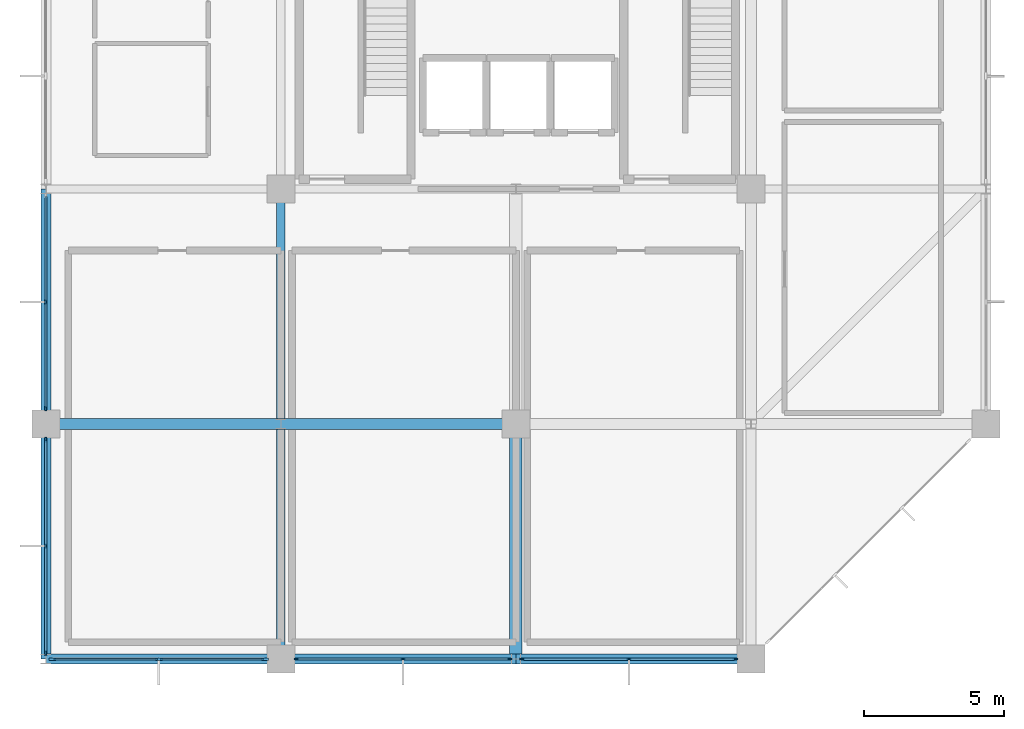
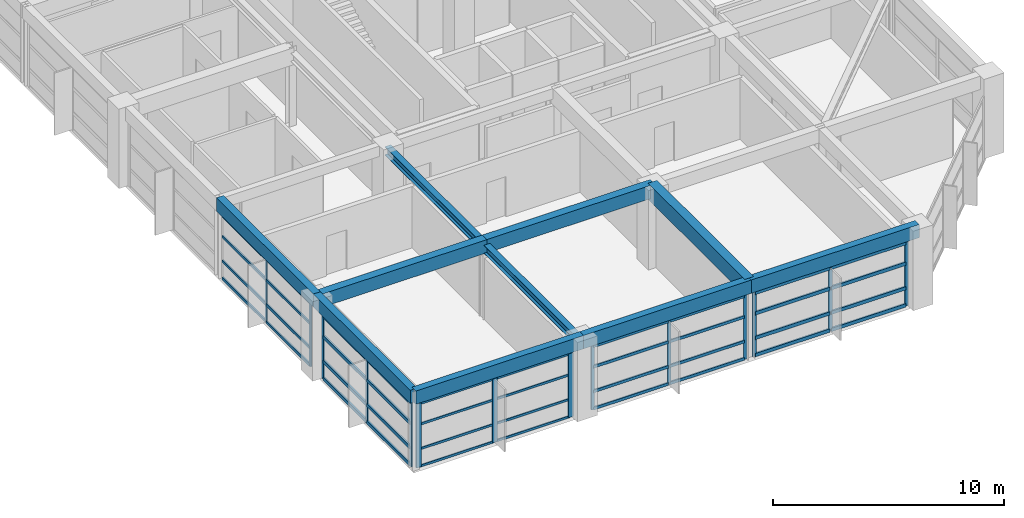
# One storey, part 3 of 15: 54 members, 10 beams, 5 elements without a shape of their own.
"""IFC4 building model written with IfcOpenShell, lengths in metres."""

from ifc_helpers import new_model, si_unit, direction, frame, origin, origin_2d, place, context, subcontext, project, spatial, rectangle, i_section, extrude, material, material_profile, profile_set, type_object, element, aggregate, save


model = new_model("IFC4")

# Units and contexts
model_context = context("Model", 3, precision=1e-05, world=origin(), true_north=direction((0.0, 1.0)))
body_context = subcontext(model_context, "Body", "Model", "MODEL_VIEW")
ifc_project = project(units=[si_unit("LENGTHUNIT", "METRE"), si_unit("AREAUNIT", "SQUARE_METRE"), si_unit("VOLUMEUNIT", "CUBIC_METRE"), si_unit("PLANEANGLEUNIT", "RADIAN"), si_unit("MASSUNIT", "GRAM", prefix="KILO")], contexts=[model_context])

# Site, building, storey
site_placement = place(None, origin())
site = spatial("IfcSite", under=ifc_project, at=site_placement, CompositionType="ELEMENT")
building_placement = place(site_placement, origin())
building = spatial("IfcBuilding", under=site, at=building_placement, Name="Xuanlan Plaza Opera House", CompositionType="ELEMENT")
storey_placement = place(building_placement, frame((0.0, 0.0, 53.10009765625)))
storey = spatial("IfcBuildingStorey", under=building, at=storey_placement, Name="L12", CompositionType="ELEMENT", Elevation=53.10009765625)

# Curtain wall, members
ifc_material_1 = material(Name="Anodised Aluminium 6063-T6 and Low-E Glass", Category="aluminium")
curtain_wall_type_1 = type_object("IfcCurtainWallType", Name="ENV-CW-CW-04", PredefinedType="USERDEFINED", material=ifc_material_1)
curtain_wall_1_placement = place(storey_placement, origin())
curtain_wall_1 = element("IfcCurtainWall", 1, at=curtain_wall_1_placement, inside=storey, type_object=curtain_wall_type_1, Name="Unitised Curtain Wall L12-002", ObjectType="UNITISED CURTAIN WALL", PredefinedType="USERDEFINED")
ifc_material_2 = material(Name="Anodised Aluminium 6063-T6", Category="aluminium")
ifc_material_profile_1 = material_profile(ifc_material_2, rectangle(XDim=0.06494140625, YDim=0.159912109375, at=origin_2d()), Name="ALU-M 65x160")
ifc_profile_set_1 = profile_set([ifc_material_profile_1], Name="Anodised Aluminium 6063-T6")
member_type_1 = type_object("IfcMemberType", Name="ENV-CWM-01", PredefinedType="MULLION", material=ifc_profile_set_1)
member_1_placement = place(storey_placement, frame((134.952392578125, 33.60009765625, 0.0), z_axis=(0.0, 0.0, 1.0), x_axis=(0.0, 1.0, 0.0)))
member_1 = element("IfcMember", 2, at=member_1_placement, type_object=member_type_1, Name="CW-04 mullion 1", PredefinedType="MULLION", context=body_context, shape_type="SweptSolid", body=[
    extrude(rectangle(XDim=0.06494140625, YDim=0.159912109375, at=origin_2d()), origin(), (0.0, 0.0, 1.0), 3.3798828125),
])
member_2_placement = place(storey_placement, frame((138.762451171875, 33.60009765625, 0.0), z_axis=(0.0, 0.0, 1.0), x_axis=(0.0, 1.0, 0.0)))
member_2 = element("IfcMember", 3, at=member_2_placement, type_object=member_type_1, Name="CW-04 mullion 2", PredefinedType="MULLION", context=body_context, shape_type="SweptSolid", body=[
    extrude(rectangle(XDim=0.06494140625, YDim=0.159912109375, at=origin_2d()), origin(), (0.0, 0.0, 1.0), 3.3798828125),
])
member_3_placement = place(storey_placement, frame((142.572509765625, 33.60009765625, 0.0), z_axis=(0.0, 0.0, 1.0), x_axis=(0.0, 1.0, 0.0)))
member_3 = element("IfcMember", 4, at=member_3_placement, type_object=member_type_1, Name="CW-04 mullion 3", PredefinedType="MULLION", context=body_context, shape_type="SweptSolid", body=[
    extrude(rectangle(XDim=0.06494140625, YDim=0.159912109375, at=origin_2d()), origin(), (0.0, 0.0, 1.0), 3.3798828125),
])

curtain_wall_type_2 = type_object("IfcCurtainWallType", Name="ENV-CW-CW-03", PredefinedType="USERDEFINED", material=ifc_material_1)
curtain_wall_2_placement = place(storey_placement, origin())
curtain_wall_2 = element("IfcCurtainWall", 5, at=curtain_wall_2_placement, inside=storey, type_object=curtain_wall_type_2, Name="Unitised Curtain Wall L12-017", ObjectType="UNITISED CURTAIN WALL", PredefinedType="USERDEFINED")
member_4_placement = place(storey_placement, frame((126.0, 46.362548828125, 0.0), z_axis=(0.0, 0.0, 1.0), x_axis=(1.0, 0.0, 0.0)))
member_4 = element("IfcMember", 6, at=member_4_placement, type_object=member_type_1, Name="CW-03 mullion 2", PredefinedType="MULLION", context=body_context, shape_type="SweptSolid", body=[
    extrude(rectangle(XDim=0.06494140625, YDim=0.159912109375, at=origin_2d()), origin(), (0.0, 0.0, 1.0), 3.3798828125),
])
member_5_placement = place(storey_placement, frame((126.0, 42.552490234375, 0.0), z_axis=(0.0, 0.0, 1.0), x_axis=(1.0, 0.0, 0.0)))
member_5 = element("IfcMember", 7, at=member_5_placement, type_object=member_type_1, Name="CW-03 mullion 3", PredefinedType="MULLION", context=body_context, shape_type="SweptSolid", body=[
    extrude(rectangle(XDim=0.06494140625, YDim=0.159912109375, at=origin_2d()), origin(), (0.0, 0.0, 1.0), 3.3798828125),
])

curtain_wall_type_3 = type_object("IfcCurtainWallType", Name="ENV-CW-CW-01", PredefinedType="USERDEFINED", material=ifc_material_1)
curtain_wall_3_placement = place(storey_placement, origin())
curtain_wall_3 = element("IfcCurtainWall", 8, at=curtain_wall_3_placement, inside=storey, type_object=curtain_wall_type_3, Name="Unitised Curtain Wall L12-003", ObjectType="UNITISED CURTAIN WALL", PredefinedType="USERDEFINED")
ifc_material_profile_2 = material_profile(ifc_material_2, rectangle(XDim=0.070068359375, YDim=0.179931640625, at=origin_2d()), Name="ALU-M 70x180")
ifc_profile_set_2 = profile_set([ifc_material_profile_2], Name="Anodised Aluminium 6063-T6")
member_type_2 = type_object("IfcMemberType", Name="ENV-CWM-02", PredefinedType="MULLION", material=ifc_profile_set_2)
member_6_placement = place(storey_placement, frame((143.030029296875, 33.60009765625, 0.0), z_axis=(0.0, 0.0, 1.0), x_axis=(0.0, 1.0, 0.0)))
member_6 = element("IfcMember", 9, at=member_6_placement, type_object=member_type_2, Name="CW-01 mullion 1", PredefinedType="MULLION", context=body_context, shape_type="SweptSolid", body=[
    extrude(rectangle(XDim=0.070068359375, YDim=0.179931640625, at=origin_2d()), origin(), (0.0, 0.0, 1.0), 3.3798828125),
])
member_7_placement = place(storey_placement, frame((146.83740234375, 33.60009765625, 0.0), z_axis=(0.0, 0.0, 1.0), x_axis=(0.0, 1.0, 0.0)))
member_7 = element("IfcMember", 10, at=member_7_placement, type_object=member_type_2, Name="CW-01 mullion 2", PredefinedType="MULLION", context=body_context, shape_type="SweptSolid", body=[
    extrude(rectangle(XDim=0.070068359375, YDim=0.179931640625, at=origin_2d()), origin(), (0.0, 0.0, 1.0), 3.3798828125),
])
member_8_placement = place(storey_placement, frame((150.64501953125, 33.60009765625, 0.0), z_axis=(0.0, 0.0, 1.0), x_axis=(0.0, 1.0, 0.0)))
member_8 = element("IfcMember", 11, at=member_8_placement, type_object=member_type_2, Name="CW-01 mullion 3", PredefinedType="MULLION", context=body_context, shape_type="SweptSolid", body=[
    extrude(rectangle(XDim=0.070068359375, YDim=0.179931640625, at=origin_2d()), origin(), (0.0, 0.0, 1.0), 3.3798828125),
])

curtain_wall_4_placement = place(storey_placement, origin())
curtain_wall_4 = element("IfcCurtainWall", 12, at=curtain_wall_4_placement, inside=storey, type_object=curtain_wall_type_1, Name="Unitised Curtain Wall L12-018", ObjectType="UNITISED CURTAIN WALL", PredefinedType="USERDEFINED")
member_9_placement = place(storey_placement, frame((126.0, 41.445068359375, 0.0), z_axis=(0.0, 0.0, 1.0), x_axis=(1.0, 0.0, 0.0)))
member_9 = element("IfcMember", 13, at=member_9_placement, type_object=member_type_2, Name="CW-04 mullion 1", PredefinedType="MULLION", context=body_context, shape_type="SweptSolid", body=[
    extrude(rectangle(XDim=0.070068359375, YDim=0.179931640625, at=origin_2d()), origin(), (0.0, 0.0, 1.0), 3.3798828125),
])
member_10_placement = place(storey_placement, frame((126.0, 37.637451171875, 0.0), z_axis=(0.0, 0.0, 1.0), x_axis=(1.0, 0.0, 0.0)))
member_10 = element("IfcMember", 14, at=member_10_placement, type_object=member_type_2, Name="CW-04 mullion 2", PredefinedType="MULLION", context=body_context, shape_type="SweptSolid", body=[
    extrude(rectangle(XDim=0.070068359375, YDim=0.179931640625, at=origin_2d()), origin(), (0.0, 0.0, 1.0), 3.3798828125),
])
member_11_placement = place(storey_placement, frame((126.0, 33.830078125, 0.0), z_axis=(0.0, 0.0, 1.0), x_axis=(1.0, 0.0, 0.0)))
member_11 = element("IfcMember", 15, at=member_11_placement, type_object=member_type_2, Name="CW-04 mullion 3", PredefinedType="MULLION", context=body_context, shape_type="SweptSolid", body=[
    extrude(rectangle(XDim=0.070068359375, YDim=0.179931640625, at=origin_2d()), origin(), (0.0, 0.0, 1.0), 3.3798828125),
])

curtain_wall_5_placement = place(storey_placement, origin())
curtain_wall_5 = element("IfcCurtainWall", 16, at=curtain_wall_5_placement, inside=storey, type_object=curtain_wall_type_2, Name="Unitised Curtain Wall L12-001", ObjectType="UNITISED CURTAIN WALL", PredefinedType="USERDEFINED")
ifc_material_profile_3 = material_profile(ifc_material_2, rectangle(XDim=0.090087890625, YDim=0.25, at=origin_2d()), Name="ALU-M 90x250")
ifc_profile_set_3 = profile_set([ifc_material_profile_3], Name="Anodised Aluminium 6063-T6")
member_type_3 = type_object("IfcMemberType", Name="ENV-CWM-05", PredefinedType="MULLION", material=ifc_profile_set_3)
member_12_placement = place(storey_placement, frame((126.239990234375, 33.60009765625, 0.0), z_axis=(0.0, 0.0, 1.0), x_axis=(0.0, 1.0, 0.0)))
member_12 = element("IfcMember", 17, at=member_12_placement, type_object=member_type_3, Name="CW-03 mullion 1", PredefinedType="MULLION", context=body_context, shape_type="SweptSolid", body=[
    extrude(rectangle(XDim=0.090087890625, YDim=0.25, at=origin_2d()), origin(), (0.0, 0.0, 1.0), 3.3798828125),
])
member_13_placement = place(storey_placement, frame((130.03759765625, 33.60009765625, 0.0), z_axis=(0.0, 0.0, 1.0), x_axis=(0.0, 1.0, 0.0)))
member_13 = element("IfcMember", 18, at=member_13_placement, type_object=member_type_3, Name="CW-03 mullion 2", PredefinedType="MULLION", context=body_context, shape_type="SweptSolid", body=[
    extrude(rectangle(XDim=0.090087890625, YDim=0.25, at=origin_2d()), origin(), (0.0, 0.0, 1.0), 3.3798828125),
])
member_14_placement = place(storey_placement, frame((133.8349609375, 33.60009765625, 0.0), z_axis=(0.0, 0.0, 1.0), x_axis=(0.0, 1.0, 0.0)))
member_14 = element("IfcMember", 19, at=member_14_placement, type_object=member_type_3, Name="CW-03 mullion 3", PredefinedType="MULLION", context=body_context, shape_type="SweptSolid", body=[
    extrude(rectangle(XDim=0.090087890625, YDim=0.25, at=origin_2d()), origin(), (0.0, 0.0, 1.0), 3.3798828125),
])
ifc_material_profile_4 = material_profile(ifc_material_2, rectangle(XDim=0.06494140625, YDim=0.1201171875, at=origin_2d()), Name="ALU-T 65x120")
ifc_profile_set_4 = profile_set([ifc_material_profile_4], Name="Anodised Aluminium 6063-T6")
member_type_4 = type_object("IfcMemberType", Name="ENV-CWT-01", PredefinedType="USERDEFINED", material=ifc_profile_set_4)
member_15_placement = place(storey_placement, frame((126.284912109375, 33.60009765625, 0.032470703125), z_axis=(1.0, 0.0, 0.0), x_axis=(0.0, 1.0, 0.0)))
member_15 = element("IfcMember", 20, at=member_15_placement, type_object=member_type_4, Name="CW-03 transom 1.1", ObjectType="TRANSOM", PredefinedType="USERDEFINED", context=body_context, shape_type="SweptSolid", body=[
    extrude(rectangle(XDim=0.06494140625, YDim=0.1201171875, at=origin_2d()), origin(), (0.0, 0.0, 1.0), 3.70751953125),
])
member_16_placement = place(storey_placement, frame((126.284912109375, 33.60009765625, 0.949951171875), z_axis=(1.0, 0.0, 0.0), x_axis=(0.0, 1.0, 0.0)))
member_16 = element("IfcMember", 21, at=member_16_placement, type_object=member_type_4, Name="CW-03 transom 1.2", ObjectType="TRANSOM", PredefinedType="USERDEFINED", context=body_context, shape_type="SweptSolid", body=[
    extrude(rectangle(XDim=0.06494140625, YDim=0.1201171875, at=origin_2d()), origin(), (0.0, 0.0, 1.0), 3.70751953125),
])
member_17_placement = place(storey_placement, frame((126.284912109375, 33.60009765625, 2.25), z_axis=(1.0, 0.0, 0.0), x_axis=(0.0, 1.0, 0.0)))
member_17 = element("IfcMember", 22, at=member_17_placement, type_object=member_type_4, Name="CW-03 transom 1.3", ObjectType="TRANSOM", PredefinedType="USERDEFINED", context=body_context, shape_type="SweptSolid", body=[
    extrude(rectangle(XDim=0.06494140625, YDim=0.1201171875, at=origin_2d()), origin(), (0.0, 0.0, 1.0), 3.70751953125),
])
member_18_placement = place(storey_placement, frame((126.284912109375, 33.60009765625, 3.347412109375), z_axis=(1.0, 0.0, 0.0), x_axis=(0.0, 1.0, 0.0)))
member_18 = element("IfcMember", 23, at=member_18_placement, type_object=member_type_4, Name="CW-03 transom 1.4", ObjectType="TRANSOM", PredefinedType="USERDEFINED", context=body_context, shape_type="SweptSolid", body=[
    extrude(rectangle(XDim=0.06494140625, YDim=0.1201171875, at=origin_2d()), origin(), (0.0, 0.0, 1.0), 3.70751953125),
])
member_19_placement = place(storey_placement, frame((130.08251953125, 33.60009765625, 0.032470703125), z_axis=(1.0, 0.0, 0.0), x_axis=(0.0, 1.0, 0.0)))
member_19 = element("IfcMember", 24, at=member_19_placement, type_object=member_type_4, Name="CW-03 transom 2.1", ObjectType="TRANSOM", PredefinedType="USERDEFINED", context=body_context, shape_type="SweptSolid", body=[
    extrude(rectangle(XDim=0.06494140625, YDim=0.1201171875, at=origin_2d()), origin(), (0.0, 0.0, 1.0), 3.70751953125),
])
member_20_placement = place(storey_placement, frame((130.08251953125, 33.60009765625, 0.949951171875), z_axis=(1.0, 0.0, 0.0), x_axis=(0.0, 1.0, 0.0)))
member_20 = element("IfcMember", 25, at=member_20_placement, type_object=member_type_4, Name="CW-03 transom 2.2", ObjectType="TRANSOM", PredefinedType="USERDEFINED", context=body_context, shape_type="SweptSolid", body=[
    extrude(rectangle(XDim=0.06494140625, YDim=0.1201171875, at=origin_2d()), origin(), (0.0, 0.0, 1.0), 3.70751953125),
])
member_21_placement = place(storey_placement, frame((130.08251953125, 33.60009765625, 2.25), z_axis=(1.0, 0.0, 0.0), x_axis=(0.0, 1.0, 0.0)))
member_21 = element("IfcMember", 26, at=member_21_placement, type_object=member_type_4, Name="CW-03 transom 2.3", ObjectType="TRANSOM", PredefinedType="USERDEFINED", context=body_context, shape_type="SweptSolid", body=[
    extrude(rectangle(XDim=0.06494140625, YDim=0.1201171875, at=origin_2d()), origin(), (0.0, 0.0, 1.0), 3.70751953125),
])
member_22_placement = place(storey_placement, frame((130.08251953125, 33.60009765625, 3.347412109375), z_axis=(1.0, 0.0, 0.0), x_axis=(0.0, 1.0, 0.0)))
member_22 = element("IfcMember", 27, at=member_22_placement, type_object=member_type_4, Name="CW-03 transom 2.4", ObjectType="TRANSOM", PredefinedType="USERDEFINED", context=body_context, shape_type="SweptSolid", body=[
    extrude(rectangle(XDim=0.06494140625, YDim=0.1201171875, at=origin_2d()), origin(), (0.0, 0.0, 1.0), 3.70751953125),
])
aggregate(curtain_wall_5, [member_12, member_13, member_14, member_15, member_16, member_17, member_18, member_19, member_20, member_21, member_22])

# Member
ifc_material_profile_5 = material_profile(ifc_material_2, rectangle(XDim=0.074951171875, YDim=0.14990234375, at=origin_2d()), Name="ALU-T 75x150")
ifc_profile_set_5 = profile_set([ifc_material_profile_5], Name="Anodised Aluminium 6063-T6")
member_type_5 = type_object("IfcMemberType", Name="ENV-CWT-03", PredefinedType="USERDEFINED", material=ifc_profile_set_5)
member_23_placement = place(storey_placement, frame((134.985107421875, 33.60009765625, 0.037353515625), z_axis=(1.0, 0.0, 0.0), x_axis=(0.0, 1.0, 0.0)))
member_23 = element("IfcMember", 28, at=member_23_placement, type_object=member_type_5, Name="CW-04 transom 1.1", ObjectType="TRANSOM", PredefinedType="USERDEFINED", context=body_context, shape_type="SweptSolid", body=[
    extrude(rectangle(XDim=0.074951171875, YDim=0.14990234375, at=origin_2d()), origin(), (0.0, 0.0, 1.0), 3.744873046875),
])

member_24_placement = place(storey_placement, frame((134.985107421875, 33.60009765625, 0.949951171875), z_axis=(1.0, 0.0, 0.0), x_axis=(0.0, 1.0, 0.0)))
member_24 = element("IfcMember", 29, at=member_24_placement, type_object=member_type_5, Name="CW-04 transom 1.2", ObjectType="TRANSOM", PredefinedType="USERDEFINED", context=body_context, shape_type="SweptSolid", body=[
    extrude(rectangle(XDim=0.074951171875, YDim=0.14990234375, at=origin_2d()), origin(), (0.0, 0.0, 1.0), 3.744873046875),
])

member_25_placement = place(storey_placement, frame((134.985107421875, 33.60009765625, 2.25), z_axis=(1.0, 0.0, 0.0), x_axis=(0.0, 1.0, 0.0)))
member_25 = element("IfcMember", 30, at=member_25_placement, type_object=member_type_5, Name="CW-04 transom 1.3", ObjectType="TRANSOM", PredefinedType="USERDEFINED", context=body_context, shape_type="SweptSolid", body=[
    extrude(rectangle(XDim=0.074951171875, YDim=0.14990234375, at=origin_2d()), origin(), (0.0, 0.0, 1.0), 3.744873046875),
])

member_26_placement = place(storey_placement, frame((134.985107421875, 33.60009765625, 3.34228515625), z_axis=(1.0, 0.0, 0.0), x_axis=(0.0, 1.0, 0.0)))
member_26 = element("IfcMember", 31, at=member_26_placement, type_object=member_type_5, Name="CW-04 transom 1.4", ObjectType="TRANSOM", PredefinedType="USERDEFINED", context=body_context, shape_type="SweptSolid", body=[
    extrude(rectangle(XDim=0.074951171875, YDim=0.14990234375, at=origin_2d()), origin(), (0.0, 0.0, 1.0), 3.744873046875),
])

member_27_placement = place(storey_placement, frame((138.794921875, 33.60009765625, 0.037353515625), z_axis=(1.0, 0.0, 0.0), x_axis=(0.0, 1.0, 0.0)))
member_27 = element("IfcMember", 32, at=member_27_placement, type_object=member_type_5, Name="CW-04 transom 2.1", ObjectType="TRANSOM", PredefinedType="USERDEFINED", context=body_context, shape_type="SweptSolid", body=[
    extrude(rectangle(XDim=0.074951171875, YDim=0.14990234375, at=origin_2d()), origin(), (0.0, 0.0, 1.0), 3.7451171875),
])

member_28_placement = place(storey_placement, frame((138.794921875, 33.60009765625, 0.949951171875), z_axis=(1.0, 0.0, 0.0), x_axis=(0.0, 1.0, 0.0)))
member_28 = element("IfcMember", 33, at=member_28_placement, type_object=member_type_5, Name="CW-04 transom 2.2", ObjectType="TRANSOM", PredefinedType="USERDEFINED", context=body_context, shape_type="SweptSolid", body=[
    extrude(rectangle(XDim=0.074951171875, YDim=0.14990234375, at=origin_2d()), origin(), (0.0, 0.0, 1.0), 3.7451171875),
])

member_29_placement = place(storey_placement, frame((138.794921875, 33.60009765625, 2.25), z_axis=(1.0, 0.0, 0.0), x_axis=(0.0, 1.0, 0.0)))
member_29 = element("IfcMember", 34, at=member_29_placement, type_object=member_type_5, Name="CW-04 transom 2.3", ObjectType="TRANSOM", PredefinedType="USERDEFINED", context=body_context, shape_type="SweptSolid", body=[
    extrude(rectangle(XDim=0.074951171875, YDim=0.14990234375, at=origin_2d()), origin(), (0.0, 0.0, 1.0), 3.7451171875),
])

member_30_placement = place(storey_placement, frame((138.794921875, 33.60009765625, 3.34228515625), z_axis=(1.0, 0.0, 0.0), x_axis=(0.0, 1.0, 0.0)))
member_30 = element("IfcMember", 35, at=member_30_placement, type_object=member_type_5, Name="CW-04 transom 2.4", ObjectType="TRANSOM", PredefinedType="USERDEFINED", context=body_context, shape_type="SweptSolid", body=[
    extrude(rectangle(XDim=0.074951171875, YDim=0.14990234375, at=origin_2d()), origin(), (0.0, 0.0, 1.0), 3.7451171875),
])

aggregate(curtain_wall_1, [member_1, member_2, member_3, member_23, member_24, member_25, member_26, member_27, member_28, member_29, member_30])

member_31_placement = place(storey_placement, frame((126.0, 50.139892578125, 0.037353515625), z_axis=(0.0, -1.0, 0.0), x_axis=(1.0, 0.0, 0.0)))
member_31 = element("IfcMember", 36, at=member_31_placement, type_object=member_type_5, Name="CW-03 transom 1.1", ObjectType="TRANSOM", PredefinedType="USERDEFINED", context=body_context, shape_type="SweptSolid", body=[
    extrude(rectangle(XDim=0.074951171875, YDim=0.14990234375, at=origin_2d()), origin(), (0.0, 0.0, 1.0), 3.744873046875),
])

member_32_placement = place(storey_placement, frame((126.0, 50.139892578125, 0.949951171875), z_axis=(0.0, -1.0, 0.0), x_axis=(1.0, 0.0, 0.0)))
member_32 = element("IfcMember", 37, at=member_32_placement, type_object=member_type_5, Name="CW-03 transom 1.2", ObjectType="TRANSOM", PredefinedType="USERDEFINED", context=body_context, shape_type="SweptSolid", body=[
    extrude(rectangle(XDim=0.074951171875, YDim=0.14990234375, at=origin_2d()), origin(), (0.0, 0.0, 1.0), 3.744873046875),
])

member_33_placement = place(storey_placement, frame((126.0, 50.139892578125, 2.25), z_axis=(0.0, -1.0, 0.0), x_axis=(1.0, 0.0, 0.0)))
member_33 = element("IfcMember", 38, at=member_33_placement, type_object=member_type_5, Name="CW-03 transom 1.3", ObjectType="TRANSOM", PredefinedType="USERDEFINED", context=body_context, shape_type="SweptSolid", body=[
    extrude(rectangle(XDim=0.074951171875, YDim=0.14990234375, at=origin_2d()), origin(), (0.0, 0.0, 1.0), 3.744873046875),
])

member_34_placement = place(storey_placement, frame((126.0, 50.139892578125, 3.34228515625), z_axis=(0.0, -1.0, 0.0), x_axis=(1.0, 0.0, 0.0)))
member_34 = element("IfcMember", 39, at=member_34_placement, type_object=member_type_5, Name="CW-03 transom 1.4", ObjectType="TRANSOM", PredefinedType="USERDEFINED", context=body_context, shape_type="SweptSolid", body=[
    extrude(rectangle(XDim=0.074951171875, YDim=0.14990234375, at=origin_2d()), origin(), (0.0, 0.0, 1.0), 3.744873046875),
])

member_35_placement = place(storey_placement, frame((126.0, 46.330078125, 0.037353515625), z_axis=(0.0, -1.0, 0.0), x_axis=(1.0, 0.0, 0.0)))
member_35 = element("IfcMember", 40, at=member_35_placement, type_object=member_type_5, Name="CW-03 transom 2.1", ObjectType="TRANSOM", PredefinedType="USERDEFINED", context=body_context, shape_type="SweptSolid", body=[
    extrude(rectangle(XDim=0.074951171875, YDim=0.14990234375, at=origin_2d()), origin(), (0.0, 0.0, 1.0), 3.7451171875),
])

member_36_placement = place(storey_placement, frame((126.0, 46.330078125, 0.949951171875), z_axis=(0.0, -1.0, 0.0), x_axis=(1.0, 0.0, 0.0)))
member_36 = element("IfcMember", 41, at=member_36_placement, type_object=member_type_5, Name="CW-03 transom 2.2", ObjectType="TRANSOM", PredefinedType="USERDEFINED", context=body_context, shape_type="SweptSolid", body=[
    extrude(rectangle(XDim=0.074951171875, YDim=0.14990234375, at=origin_2d()), origin(), (0.0, 0.0, 1.0), 3.7451171875),
])

member_37_placement = place(storey_placement, frame((126.0, 46.330078125, 2.25), z_axis=(0.0, -1.0, 0.0), x_axis=(1.0, 0.0, 0.0)))
member_37 = element("IfcMember", 42, at=member_37_placement, type_object=member_type_5, Name="CW-03 transom 2.3", ObjectType="TRANSOM", PredefinedType="USERDEFINED", context=body_context, shape_type="SweptSolid", body=[
    extrude(rectangle(XDim=0.074951171875, YDim=0.14990234375, at=origin_2d()), origin(), (0.0, 0.0, 1.0), 3.7451171875),
])

member_38_placement = place(storey_placement, frame((126.0, 46.330078125, 3.34228515625), z_axis=(0.0, -1.0, 0.0), x_axis=(1.0, 0.0, 0.0)))
member_38 = element("IfcMember", 43, at=member_38_placement, type_object=member_type_5, Name="CW-03 transom 2.4", ObjectType="TRANSOM", PredefinedType="USERDEFINED", context=body_context, shape_type="SweptSolid", body=[
    extrude(rectangle(XDim=0.074951171875, YDim=0.14990234375, at=origin_2d()), origin(), (0.0, 0.0, 1.0), 3.7451171875),
])

aggregate(curtain_wall_2, [member_4, member_5, member_31, member_32, member_33, member_34, member_35, member_36, member_37, member_38])

ifc_material_profile_6 = material_profile(ifc_material_2, rectangle(XDim=0.090087890625, YDim=0.179931640625, at=origin_2d()), Name="ALU-T 90x180")
ifc_profile_set_6 = profile_set([ifc_material_profile_6], Name="Anodised Aluminium 6063-T6")
member_type_6 = type_object("IfcMemberType", Name="ENV-CWT-05", PredefinedType="USERDEFINED", material=ifc_profile_set_6)
member_39_placement = place(storey_placement, frame((143.06494140625, 33.60009765625, 0.044921875), z_axis=(1.0, 0.0, 0.0), x_axis=(0.0, 1.0, 0.0)))
member_39 = element("IfcMember", 44, at=member_39_placement, type_object=member_type_6, Name="CW-01 transom 1.1", ObjectType="TRANSOM", PredefinedType="USERDEFINED", context=body_context, shape_type="SweptSolid", body=[
    extrude(rectangle(XDim=0.090087890625, YDim=0.179931640625, at=origin_2d()), origin(), (0.0, 0.0, 1.0), 3.737548828125),
])

member_40_placement = place(storey_placement, frame((143.06494140625, 33.60009765625, 0.949951171875), z_axis=(1.0, 0.0, 0.0), x_axis=(0.0, 1.0, 0.0)))
member_40 = element("IfcMember", 45, at=member_40_placement, type_object=member_type_6, Name="CW-01 transom 1.2", ObjectType="TRANSOM", PredefinedType="USERDEFINED", context=body_context, shape_type="SweptSolid", body=[
    extrude(rectangle(XDim=0.090087890625, YDim=0.179931640625, at=origin_2d()), origin(), (0.0, 0.0, 1.0), 3.737548828125),
])

member_41_placement = place(storey_placement, frame((143.06494140625, 33.60009765625, 2.25), z_axis=(1.0, 0.0, 0.0), x_axis=(0.0, 1.0, 0.0)))
member_41 = element("IfcMember", 46, at=member_41_placement, type_object=member_type_6, Name="CW-01 transom 1.3", ObjectType="TRANSOM", PredefinedType="USERDEFINED", context=body_context, shape_type="SweptSolid", body=[
    extrude(rectangle(XDim=0.090087890625, YDim=0.179931640625, at=origin_2d()), origin(), (0.0, 0.0, 1.0), 3.737548828125),
])

member_42_placement = place(storey_placement, frame((143.06494140625, 33.60009765625, 3.3349609375), z_axis=(1.0, 0.0, 0.0), x_axis=(0.0, 1.0, 0.0)))
member_42 = element("IfcMember", 47, at=member_42_placement, type_object=member_type_6, Name="CW-01 transom 1.4", ObjectType="TRANSOM", PredefinedType="USERDEFINED", context=body_context, shape_type="SweptSolid", body=[
    extrude(rectangle(XDim=0.090087890625, YDim=0.179931640625, at=origin_2d()), origin(), (0.0, 0.0, 1.0), 3.737548828125),
])

member_43_placement = place(storey_placement, frame((146.87255859375, 33.60009765625, 0.044921875), z_axis=(1.0, 0.0, 0.0), x_axis=(0.0, 1.0, 0.0)))
member_43 = element("IfcMember", 48, at=member_43_placement, type_object=member_type_6, Name="CW-01 transom 2.1", ObjectType="TRANSOM", PredefinedType="USERDEFINED", context=body_context, shape_type="SweptSolid", body=[
    extrude(rectangle(XDim=0.090087890625, YDim=0.179931640625, at=origin_2d()), origin(), (0.0, 0.0, 1.0), 3.737548828125),
])

member_44_placement = place(storey_placement, frame((146.87255859375, 33.60009765625, 0.949951171875), z_axis=(1.0, 0.0, 0.0), x_axis=(0.0, 1.0, 0.0)))
member_44 = element("IfcMember", 49, at=member_44_placement, type_object=member_type_6, Name="CW-01 transom 2.2", ObjectType="TRANSOM", PredefinedType="USERDEFINED", context=body_context, shape_type="SweptSolid", body=[
    extrude(rectangle(XDim=0.090087890625, YDim=0.179931640625, at=origin_2d()), origin(), (0.0, 0.0, 1.0), 3.737548828125),
])

member_45_placement = place(storey_placement, frame((146.87255859375, 33.60009765625, 2.25), z_axis=(1.0, 0.0, 0.0), x_axis=(0.0, 1.0, 0.0)))
member_45 = element("IfcMember", 50, at=member_45_placement, type_object=member_type_6, Name="CW-01 transom 2.3", ObjectType="TRANSOM", PredefinedType="USERDEFINED", context=body_context, shape_type="SweptSolid", body=[
    extrude(rectangle(XDim=0.090087890625, YDim=0.179931640625, at=origin_2d()), origin(), (0.0, 0.0, 1.0), 3.737548828125),
])

member_46_placement = place(storey_placement, frame((146.87255859375, 33.60009765625, 3.3349609375), z_axis=(1.0, 0.0, 0.0), x_axis=(0.0, 1.0, 0.0)))
member_46 = element("IfcMember", 51, at=member_46_placement, type_object=member_type_6, Name="CW-01 transom 2.4", ObjectType="TRANSOM", PredefinedType="USERDEFINED", context=body_context, shape_type="SweptSolid", body=[
    extrude(rectangle(XDim=0.090087890625, YDim=0.179931640625, at=origin_2d()), origin(), (0.0, 0.0, 1.0), 3.737548828125),
])

aggregate(curtain_wall_3, [member_6, member_7, member_8, member_39, member_40, member_41, member_42, member_43, member_44, member_45, member_46])

member_47_placement = place(storey_placement, frame((126.0, 41.409912109375, 0.044921875), z_axis=(0.0, -1.0, 0.0), x_axis=(1.0, 0.0, 0.0)))
member_47 = element("IfcMember", 52, at=member_47_placement, type_object=member_type_6, Name="CW-04 transom 1.1", ObjectType="TRANSOM", PredefinedType="USERDEFINED", context=body_context, shape_type="SweptSolid", body=[
    extrude(rectangle(XDim=0.090087890625, YDim=0.179931640625, at=origin_2d()), origin(), (0.0, 0.0, 1.0), 3.7373046875),
])

member_48_placement = place(storey_placement, frame((126.0, 41.409912109375, 0.949951171875), z_axis=(0.0, -1.0, 0.0), x_axis=(1.0, 0.0, 0.0)))
member_48 = element("IfcMember", 53, at=member_48_placement, type_object=member_type_6, Name="CW-04 transom 1.2", ObjectType="TRANSOM", PredefinedType="USERDEFINED", context=body_context, shape_type="SweptSolid", body=[
    extrude(rectangle(XDim=0.090087890625, YDim=0.179931640625, at=origin_2d()), origin(), (0.0, 0.0, 1.0), 3.7373046875),
])

member_49_placement = place(storey_placement, frame((126.0, 41.409912109375, 2.25), z_axis=(0.0, -1.0, 0.0), x_axis=(1.0, 0.0, 0.0)))
member_49 = element("IfcMember", 54, at=member_49_placement, type_object=member_type_6, Name="CW-04 transom 1.3", ObjectType="TRANSOM", PredefinedType="USERDEFINED", context=body_context, shape_type="SweptSolid", body=[
    extrude(rectangle(XDim=0.090087890625, YDim=0.179931640625, at=origin_2d()), origin(), (0.0, 0.0, 1.0), 3.7373046875),
])

member_50_placement = place(storey_placement, frame((126.0, 41.409912109375, 3.3349609375), z_axis=(0.0, -1.0, 0.0), x_axis=(1.0, 0.0, 0.0)))
member_50 = element("IfcMember", 55, at=member_50_placement, type_object=member_type_6, Name="CW-04 transom 1.4", ObjectType="TRANSOM", PredefinedType="USERDEFINED", context=body_context, shape_type="SweptSolid", body=[
    extrude(rectangle(XDim=0.090087890625, YDim=0.179931640625, at=origin_2d()), origin(), (0.0, 0.0, 1.0), 3.7373046875),
])

member_51_placement = place(storey_placement, frame((126.0, 37.6025390625, 0.044921875), z_axis=(0.0, -1.0, 0.0), x_axis=(1.0, 0.0, 0.0)))
member_51 = element("IfcMember", 56, at=member_51_placement, type_object=member_type_6, Name="CW-04 transom 2.1", ObjectType="TRANSOM", PredefinedType="USERDEFINED", context=body_context, shape_type="SweptSolid", body=[
    extrude(rectangle(XDim=0.090087890625, YDim=0.179931640625, at=origin_2d()), origin(), (0.0, 0.0, 1.0), 3.737548828125),
])

member_52_placement = place(storey_placement, frame((126.0, 37.6025390625, 0.949951171875), z_axis=(0.0, -1.0, 0.0), x_axis=(1.0, 0.0, 0.0)))
member_52 = element("IfcMember", 57, at=member_52_placement, type_object=member_type_6, Name="CW-04 transom 2.2", ObjectType="TRANSOM", PredefinedType="USERDEFINED", context=body_context, shape_type="SweptSolid", body=[
    extrude(rectangle(XDim=0.090087890625, YDim=0.179931640625, at=origin_2d()), origin(), (0.0, 0.0, 1.0), 3.737548828125),
])

member_53_placement = place(storey_placement, frame((126.0, 37.6025390625, 2.25), z_axis=(0.0, -1.0, 0.0), x_axis=(1.0, 0.0, 0.0)))
member_53 = element("IfcMember", 58, at=member_53_placement, type_object=member_type_6, Name="CW-04 transom 2.3", ObjectType="TRANSOM", PredefinedType="USERDEFINED", context=body_context, shape_type="SweptSolid", body=[
    extrude(rectangle(XDim=0.090087890625, YDim=0.179931640625, at=origin_2d()), origin(), (0.0, 0.0, 1.0), 3.737548828125),
])

member_54_placement = place(storey_placement, frame((126.0, 37.6025390625, 3.3349609375), z_axis=(0.0, -1.0, 0.0), x_axis=(1.0, 0.0, 0.0)))
member_54 = element("IfcMember", 59, at=member_54_placement, type_object=member_type_6, Name="CW-04 transom 2.4", ObjectType="TRANSOM", PredefinedType="USERDEFINED", context=body_context, shape_type="SweptSolid", body=[
    extrude(rectangle(XDim=0.090087890625, YDim=0.179931640625, at=origin_2d()), origin(), (0.0, 0.0, 1.0), 3.737548828125),
])

aggregate(curtain_wall_4, [member_9, member_10, member_11, member_47, member_48, member_49, member_50, member_51, member_52, member_53, member_54])

# Beams
ifc_material_3 = material(Name="Concrete C40", Category="concrete")
ifc_material_profile_7 = material_profile(ifc_material_3, rectangle(XDim=0.449951171875, YDim=0.85009765625, at=origin_2d()), Name="RC-BM 450x850")
ifc_profile_set_7 = profile_set([ifc_material_profile_7], Name="Concrete C40")
beam_type_1 = type_object("IfcBeamType", Name="STR-BM-B-04", PredefinedType="BEAM", material=ifc_profile_set_7)
beam_1_placement = place(storey_placement, frame((142.800048828125, 33.60009765625, 3.77490234375), z_axis=(0.0, 1.0, 0.0), x_axis=(-1.0, 0.0, 0.0)))
element("IfcBeam", 60, at=beam_1_placement, inside=storey, type_object=beam_type_1, Name="Grid Beam Y L12 18/E-F", PredefinedType="BEAM", context=body_context, shape_type="SweptSolid", body=[
    extrude(rectangle(XDim=0.449951171875, YDim=0.85009765625, at=origin_2d()), origin(), (0.0, 0.0, 1.0), 8.39990234375),
])
ifc_material_profile_8 = material_profile(ifc_material_3, rectangle(XDim=0.39990234375, YDim=0.699951171875, at=origin_2d()), Name="RC-BM 400x700")
ifc_profile_set_8 = profile_set([ifc_material_profile_8], Name="Concrete C40")
beam_type_2 = type_object("IfcBeamType", Name="STR-BM-B-07", PredefinedType="BEAM", material=ifc_profile_set_8)
beam_2_placement = place(storey_placement, frame((126.0, 42.0, 3.849853515625), z_axis=(1.0, 0.0, 0.0), x_axis=(0.0, 1.0, 0.0)))
element("IfcBeam", 61, at=beam_2_placement, inside=storey, type_object=beam_type_2, Name="Grid Beam X L12 16-17/F", PredefinedType="BEAM", context=body_context, shape_type="SweptSolid", body=[
    extrude(rectangle(XDim=0.39990234375, YDim=0.699951171875, at=origin_2d()), origin(), (0.0, 0.0, 1.0), 8.39990234375),
])
beam_3_placement = place(storey_placement, frame((134.39990234375, 42.0, 3.849853515625), z_axis=(1.0, 0.0, 0.0), x_axis=(0.0, 1.0, 0.0)))
element("IfcBeam", 62, at=beam_3_placement, inside=storey, type_object=beam_type_2, Name="Grid Beam X L12 17-18/F", PredefinedType="BEAM", context=body_context, shape_type="SweptSolid", body=[
    extrude(rectangle(XDim=0.39990234375, YDim=0.699951171875, at=origin_2d()), origin(), (0.0, 0.0, 1.0), 8.400146484375),
])
ifc_material_4 = material(Name="Steel Q355B", Category="steel")
ifc_material_profile_9 = material_profile(ifc_material_4, i_section(OverallWidth=0.300048828125, OverallDepth=0.43994140625, WebThickness=0.010986328125, FlangeThickness=0.01806640625, FilletRadius=0.02001953125, at=origin_2d()), Name="HM 440x300x11x18")
ifc_profile_set_9 = profile_set([ifc_material_profile_9], Name="Steel Q355B")
beam_type_3 = type_object("IfcBeamType", Name="STR-BM-SB-08", PredefinedType="BEAM", material=ifc_profile_set_9)
for number, where, z_axis, x_axis, name in (
    (63, (134.39990234375, 33.60009765625, 3.73486328125), (0.0, 1.0, 0.0), (-1.0, 0.0, 0.0), "Grid Beam Y L12 17/E-F"),
    (64, (134.39990234375, 42.0, 3.73486328125), (0.0, 1.0, 0.0), (-1.0, 0.0, 0.0), "Grid Beam Y L12 17/F-G"),
):
    element("IfcBeam", number, at=place(storey_placement, frame(where, z_axis=z_axis, x_axis=x_axis)), inside=storey, type_object=beam_type_3, Name=name, PredefinedType="BEAM", context=body_context, shape_type="SweptSolid", body=[
        extrude(i_section(OverallWidth=0.300048828125, OverallDepth=0.43994140625, WebThickness=0.010986328125, FlangeThickness=0.01806640625, FilletRadius=0.02001953125, at=origin_2d()), origin(), (0.0, 0.0, 1.0), 8.39990234375),
    ])
ifc_material_profile_10 = material_profile(ifc_material_3, rectangle(XDim=0.35009765625, YDim=0.699951171875, at=origin_2d()), Name="RC-SPD 350x700")
ifc_profile_set_10 = profile_set([ifc_material_profile_10], Name="Concrete C40")
beam_type_4 = type_object("IfcBeamType", Name="STR-BM-SP-02", PredefinedType="SPANDREL", material=ifc_profile_set_10)
beam_4_placement = place(storey_placement, frame((126.0, 33.60009765625, 3.849853515625), z_axis=(1.0, 0.0, 0.0), x_axis=(0.0, 1.0, 0.0)))
element("IfcBeam", 65, at=beam_4_placement, inside=storey, type_object=beam_type_4, Name="Grid Beam X L12 16-17/E", PredefinedType="SPANDREL", context=body_context, shape_type="SweptSolid", body=[
    extrude(rectangle(XDim=0.35009765625, YDim=0.699951171875, at=origin_2d()), origin(), (0.0, 0.0, 1.0), 8.39990234375),
])
beam_5_placement = place(storey_placement, frame((134.39990234375, 33.60009765625, 3.849853515625), z_axis=(1.0, 0.0, 0.0), x_axis=(0.0, 1.0, 0.0)))
element("IfcBeam", 66, at=beam_5_placement, inside=storey, type_object=beam_type_4, Name="Grid Beam X L12 17-18/E", PredefinedType="SPANDREL", context=body_context, shape_type="SweptSolid", body=[
    extrude(rectangle(XDim=0.35009765625, YDim=0.699951171875, at=origin_2d()), origin(), (0.0, 0.0, 1.0), 8.400146484375),
])
for number, where, z_axis, x_axis, name in (
    (67, (142.800048828125, 33.60009765625, 3.849853515625), (1.0, 0.0, 0.0), (0.0, 1.0, 0.0), "Grid Beam X L12 18-19/E"),
    (68, (126.0, 33.60009765625, 3.849853515625), (0.0, 1.0, 0.0), (-1.0, 0.0, 0.0), "Grid Beam Y L12 16/E-F"),
    (69, (126.0, 42.0, 3.849853515625), (0.0, 1.0, 0.0), (-1.0, 0.0, 0.0), "Grid Beam Y L12 16/F-G"),
):
    element("IfcBeam", number, at=place(storey_placement, frame(where, z_axis=z_axis, x_axis=x_axis)), inside=storey, type_object=beam_type_4, Name=name, PredefinedType="SPANDREL", context=body_context, shape_type="SweptSolid", body=[
        extrude(rectangle(XDim=0.35009765625, YDim=0.699951171875, at=origin_2d()), origin(), (0.0, 0.0, 1.0), 8.39990234375),
    ])

save(model, "model.ifc")
